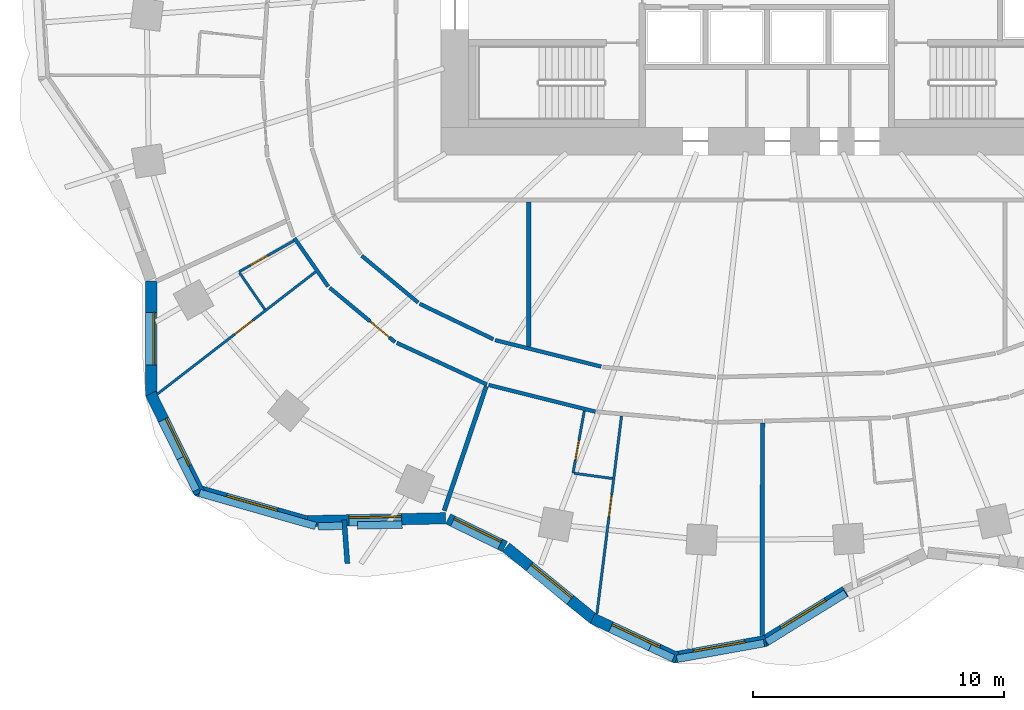
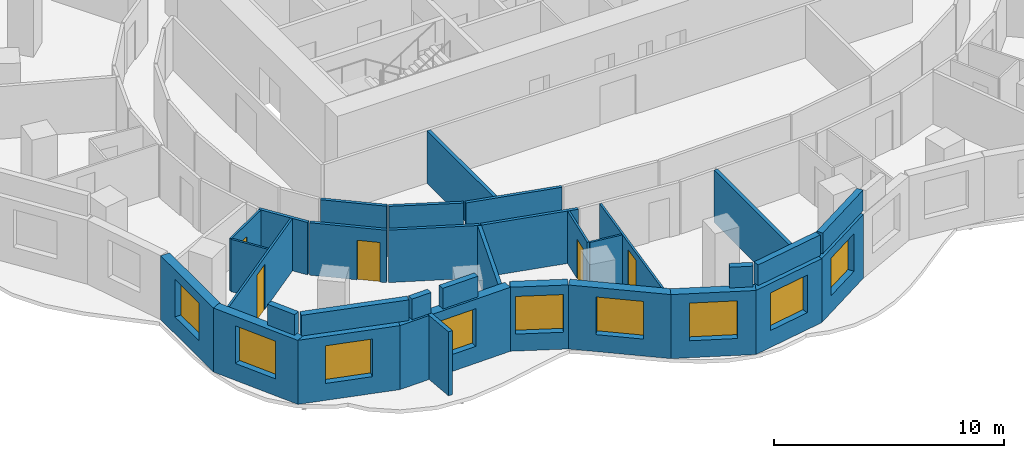
# One storey, part 4 of 13: 33 walls, 9 windows, 5 doors, 14 openings.
"""IFC4 building model written with IfcOpenShell, lengths in metres."""

from ifc_helpers import new_model, si_unit, direction, frame, frame_2d, origin, place, context, subcontext, project, spatial, rectangle, extrude, material, layer, layer_set, type_object, element, fill, save


model = new_model("IFC4")

# Units and contexts
model_context = context("Model", 3, precision=1e-05, world=origin(), true_north=direction((0.0, 1.0)))
body_context = subcontext(model_context, "Body", "Model", "MODEL_VIEW")
ifc_project = project(units=[si_unit("LENGTHUNIT", "METRE"), si_unit("AREAUNIT", "SQUARE_METRE"), si_unit("VOLUMEUNIT", "CUBIC_METRE"), si_unit("PLANEANGLEUNIT", "RADIAN"), si_unit("MASSUNIT", "GRAM", prefix="KILO")], contexts=[model_context])

# Site, building, storey
site_placement = place(None, origin())
site = spatial("IfcSite", under=ifc_project, at=site_placement, CompositionType="ELEMENT")
building_placement = place(site_placement, origin())
building = spatial("IfcBuilding", under=site, at=building_placement, Name="Rubra Terraces Tower", CompositionType="ELEMENT")
storey_placement = place(building_placement, frame((0.0, 0.0, 85.199951171875)))
storey = spatial("IfcBuildingStorey", under=building, at=storey_placement, Name="L19", CompositionType="ELEMENT", Elevation=85.199951171875)

# Walls
ifc_material_1 = material(Name="Twin plasterboard on staggered steel stud, acoustic mineral wool", Category="steel")
ifc_layer_1 = layer(ifc_material_1, 0.175048828125)
ifc_layer_set_1 = layer_set([ifc_layer_1], Name="Twin plasterboard on staggered steel stud, acoustic mineral wool")
wall_type_1 = type_object("IfcWallType", Name="ACOUSTIC PARTY WALL 175", PredefinedType="PARTITIONING", material=ifc_layer_set_1)
wall_1_placement = place(storey_placement, frame((-12.8779296875, -17.2001953125, 0.0), z_axis=(0.0, 0.0, 1.0), x_axis=(0.320668187518, 0.947191592823, 0.0)))
element("IfcWall", 1, at=wall_1_placement, inside=storey, type_object=wall_type_1, Name="PARTITION", PredefinedType="PARTITIONING", context=body_context, shape_type="SweptSolid", body=[
    extrude(rectangle(XDim=5.2412109375, YDim=0.175048828125, at=frame_2d((2.62060546875, 0.0))), origin(), (0.0, 0.0, 1.0), 2.783935546875),
])
wall_2_placement = place(storey_placement, frame((-0.189208984375, -22.189697265625, 0.0), z_axis=(0.0, 0.0, 1.0), x_axis=(0.001984465463, 0.999998030946, 0.0)))
element("IfcWall", 2, at=wall_2_placement, inside=storey, type_object=wall_type_1, Name="PARTITION", PredefinedType="PARTITIONING", context=body_context, shape_type="SweptSolid", body=[
    extrude(rectangle(XDim=8.48876953125, YDim=0.175048828125, at=frame_2d((4.244384765625, 0.0))), origin(), (0.0, 0.0, 1.0), 2.783935546875),
])
wall_3_placement = place(storey_placement, frame((-9.5, -10.653564453125, 0.0), z_axis=(0.0, 0.0, 1.0), x_axis=(0.0, 1.0, 0.0)))
element("IfcWall", 3, at=wall_3_placement, inside=storey, type_object=wall_type_1, Name="PARTITION", PredefinedType="PARTITIONING", context=body_context, shape_type="SweptSolid", body=[
    extrude(rectangle(XDim=5.778564453125, YDim=0.175048828125, at=frame_2d((2.88916015625, 0.0))), origin(), (0.0, 0.0, 1.0), 2.783935546875),
])

# Wall, opening, window
ifc_material_2 = material(Name="Brick masonry red-brown", Category="masonry")
ifc_layer_2 = layer(ifc_material_2, 0.449951171875)
ifc_layer_set_2 = layer_set([ifc_layer_2], Name="Brick masonry red-brown")
wall_type_2 = type_object("IfcWallType", Name="Brick facade wall 450", PredefinedType="SOLIDWALL", material=ifc_layer_set_2)
wall_4_placement = place(storey_placement, frame((-24.5712890625, -8.044189453125, 0.0), z_axis=(0.0, 0.0, 1.0), x_axis=(0.001546005189, -0.999998804933, 0.0)))
wall_4 = element("IfcWall", 4, at=wall_4_placement, inside=storey, type_object=wall_type_2, Name="Facade wall L19 bay 23", PredefinedType="SOLIDWALL", context=body_context, shape_type="SweptSolid", body=[
    extrude(rectangle(XDim=4.57958984375, YDim=0.449951171875, at=frame_2d((2.289794921875, 0.0))), origin(), (0.0, 0.0, 1.0), 3.400146484375),
])
opening_1_placement = place(wall_4_placement, frame((1.23974609375, 0.0, 0.89990234375)))
opening_1 = element("IfcOpeningElement", 5, at=opening_1_placement, cuts=wall_4, Name="Opening W1", PredefinedType="OPENING", context=body_context, shape_type="SweptSolid", body=[
    extrude(rectangle(XDim=2.10009765625, YDim=2.0, at=frame_2d((1.050048828125, 1.0))), frame((0.0, 0.23486328125, 0.0), z_axis=(0.0, -1.0, 0.0), x_axis=(1.0, 0.0, 0.0)), (0.0, 0.0, 1.0), 0.469970703125),
])
ifc_material_3 = material(Name="Clear glass in aluminium frame", Category="aluminium")
window_type = type_object("IfcWindowType", Name="Fixed deep-set window 2100 x 2000", PartitioningType="SINGLE_PANEL", PredefinedType="WINDOW", material=ifc_material_3)
window_1_placement = place(opening_1_placement, origin())
window_1 = element("IfcWindow", 6, at=window_1_placement, inside=storey, type_object=window_type, Name="Window L19 bay 23", OverallHeight=2.0, OverallWidth=2.10009765625, PartitioningType="SINGLE_PANEL", PredefinedType="WINDOW", context=body_context, shape_type="SweptSolid", body=[
    extrude(rectangle(XDim=2.10009765625, YDim=2.0, at=frame_2d((1.050048828125, 1.0))), frame((0.0, 0.135009765625, 0.0), z_axis=(0.0, -1.0, 0.0), x_axis=(1.0, 0.0, 0.0)), (0.0, 0.0, 1.0), 0.06005859375),
])
fill(opening_1, window_1)

wall_5_placement = place(storey_placement, frame((-24.587158203125, -12.531494140625, 0.0), z_axis=(0.0, 0.0, 1.0), x_axis=(0.441565582365, -0.897228976611, 0.0)))
wall_5 = element("IfcWall", 7, at=wall_5_placement, inside=storey, type_object=wall_type_2, Name="Facade wall L19 bay 24", PredefinedType="SOLIDWALL", context=body_context, shape_type="SweptSolid", body=[
    extrude(rectangle(XDim=4.416015625, YDim=0.449951171875, at=frame_2d((2.2080078125, 0.0))), origin(), (0.0, 0.0, 1.0), 3.400146484375),
])
opening_2_placement = place(wall_5_placement, frame((1.157958984375, 0.0, 0.89990234375)))
opening_2 = element("IfcOpeningElement", 8, at=opening_2_placement, cuts=wall_5, Name="Opening W1", PredefinedType="OPENING", context=body_context, shape_type="SweptSolid", body=[
    extrude(rectangle(XDim=2.10009765625, YDim=2.0, at=frame_2d((1.050048828125, 1.0))), frame((0.0, 0.23486328125, 0.0), z_axis=(0.0, -1.0, 0.0), x_axis=(1.0, 0.0, 0.0)), (0.0, 0.0, 1.0), 0.469970703125),
])
window_2_placement = place(opening_2_placement, origin())
window_2 = element("IfcWindow", 9, at=window_2_placement, inside=storey, type_object=window_type, Name="Window L19 bay 24", OverallHeight=2.0, OverallWidth=2.10009765625, PartitioningType="SINGLE_PANEL", PredefinedType="WINDOW", context=body_context, shape_type="SweptSolid", body=[
    extrude(rectangle(XDim=2.10009765625, YDim=2.0, at=frame_2d((1.050048828125, 1.0))), frame((0.0, 0.135009765625, 0.0), z_axis=(0.0, -1.0, 0.0), x_axis=(1.0, 0.0, 0.0)), (0.0, 0.0, 1.0), 0.06005859375),
])
fill(opening_2, window_2)

wall_6_placement = place(storey_placement, frame((-22.777587890625, -16.376708984375, 0.0), z_axis=(0.0, 0.0, 1.0), x_axis=(0.961872816949, -0.273497137123, 0.0)))
wall_6 = element("IfcWall", 10, at=wall_6_placement, inside=storey, type_object=wall_type_2, Name="Facade wall L19 bay 25", PredefinedType="SOLIDWALL", context=body_context, shape_type="SweptSolid", body=[
    extrude(rectangle(XDim=4.584716796875, YDim=0.449951171875, at=frame_2d((2.29248046875, 0.0))), origin(), (0.0, 0.0, 1.0), 3.400146484375),
])
opening_3_placement = place(wall_6_placement, frame((1.242431640625, 0.0, 0.89990234375)))
opening_3 = element("IfcOpeningElement", 11, at=opening_3_placement, cuts=wall_6, Name="Opening W1", PredefinedType="OPENING", context=body_context, shape_type="SweptSolid", body=[
    extrude(rectangle(XDim=2.10009765625, YDim=2.0, at=frame_2d((1.050048828125, 1.0))), frame((0.0, 0.23486328125, 0.0), z_axis=(0.0, -1.0, 0.0), x_axis=(1.0, 0.0, 0.0)), (0.0, 0.0, 1.0), 0.469970703125),
])
window_3_placement = place(opening_3_placement, origin())
window_3 = element("IfcWindow", 12, at=window_3_placement, inside=storey, type_object=window_type, Name="Window L19 bay 25", OverallHeight=2.0, OverallWidth=2.10009765625, PartitioningType="SINGLE_PANEL", PredefinedType="WINDOW", context=body_context, shape_type="SweptSolid", body=[
    extrude(rectangle(XDim=2.10009765625, YDim=2.0, at=frame_2d((1.050048828125, 1.0))), frame((0.0, 0.135009765625, 0.0), z_axis=(0.0, -1.0, 0.0), x_axis=(1.0, 0.0, 0.0)), (0.0, 0.0, 1.0), 0.06005859375),
])
fill(opening_3, window_3)

wall_7_placement = place(storey_placement, frame((-18.433837890625, -17.622314453125, 0.0), z_axis=(0.0, 0.0, 1.0), x_axis=(0.999773749739, 0.021270856405, 0.0)))
wall_7 = element("IfcWall", 13, at=wall_7_placement, inside=storey, type_object=wall_type_2, Name="Facade wall L19 bay 26", PredefinedType="SOLIDWALL", context=body_context, shape_type="SweptSolid", body=[
    extrude(rectangle(XDim=5.612548828125, YDim=0.449951171875, at=frame_2d((2.80615234375, 0.0))), origin(), (0.0, 0.0, 1.0), 3.400146484375),
])
opening_4_placement = place(wall_7_placement, frame((1.75634765625, 0.0, 0.89990234375)))
opening_4 = element("IfcOpeningElement", 14, at=opening_4_placement, cuts=wall_7, Name="Opening W1", PredefinedType="OPENING", context=body_context, shape_type="SweptSolid", body=[
    extrude(rectangle(XDim=2.10009765625, YDim=2.0, at=frame_2d((1.050048828125, 1.0))), frame((0.0, 0.23486328125, 0.0), z_axis=(0.0, -1.0, 0.0), x_axis=(1.0, 0.0, 0.0)), (0.0, 0.0, 1.0), 0.469970703125),
])
window_4_placement = place(opening_4_placement, origin())
window_4 = element("IfcWindow", 15, at=window_4_placement, inside=storey, type_object=window_type, Name="Window L19 bay 26", OverallHeight=2.0, OverallWidth=2.10009765625, PartitioningType="SINGLE_PANEL", PredefinedType="WINDOW", context=body_context, shape_type="SweptSolid", body=[
    extrude(rectangle(XDim=2.10009765625, YDim=2.0, at=frame_2d((1.050048828125, 1.0))), frame((0.0, 0.135009765625, 0.0), z_axis=(0.0, -1.0, 0.0), x_axis=(1.0, 0.0, 0.0)), (0.0, 0.0, 1.0), 0.06005859375),
])
fill(opening_4, window_4)

wall_8_placement = place(storey_placement, frame((-12.718994140625, -17.52587890625, 0.0), z_axis=(0.0, 0.0, 1.0), x_axis=(0.898643806462, -0.438679050226, 0.0)))
wall_8 = element("IfcWall", 16, at=wall_8_placement, inside=storey, type_object=wall_type_2, Name="Facade wall L19 bay 27", PredefinedType="SOLIDWALL", context=body_context, shape_type="SweptSolid", body=[
    extrude(rectangle(XDim=2.5234375, YDim=0.449951171875, at=frame_2d((1.26171875, 0.0))), origin(), (0.0, 0.0, 1.0), 3.400146484375),
])
opening_5_placement = place(wall_8_placement, frame((0.2119140625, 0.0, 0.89990234375)))
opening_5 = element("IfcOpeningElement", 17, at=opening_5_placement, cuts=wall_8, Name="Opening W1", PredefinedType="OPENING", context=body_context, shape_type="SweptSolid", body=[
    extrude(rectangle(XDim=2.10009765625, YDim=2.0, at=frame_2d((1.050048828125, 1.0))), frame((0.0, 0.23486328125, 0.0), z_axis=(0.0, -1.0, 0.0), x_axis=(1.0, 0.0, 0.0)), (0.0, 0.0, 1.0), 0.469970703125),
])
window_5_placement = place(opening_5_placement, origin())
window_5 = element("IfcWindow", 18, at=window_5_placement, inside=storey, type_object=window_type, Name="Window L19 bay 27", OverallHeight=2.0, OverallWidth=2.10009765625, PartitioningType="SINGLE_PANEL", PredefinedType="WINDOW", context=body_context, shape_type="SweptSolid", body=[
    extrude(rectangle(XDim=2.10009765625, YDim=2.0, at=frame_2d((1.050048828125, 1.0))), frame((0.0, 0.135009765625, 0.0), z_axis=(0.0, -1.0, 0.0), x_axis=(1.0, 0.0, 0.0)), (0.0, 0.0, 1.0), 0.06005859375),
])
fill(opening_5, window_5)

wall_9_placement = place(storey_placement, frame((-10.407470703125, -18.660888671875, 0.0), z_axis=(0.0, 0.0, 1.0), x_axis=(0.773702458947, -0.633549133864, 0.0)))
wall_9 = element("IfcWall", 19, at=wall_9_placement, inside=storey, type_object=wall_type_2, Name="Facade wall L19 bay 28", PredefinedType="SOLIDWALL", context=body_context, shape_type="SweptSolid", body=[
    extrude(rectangle(XDim=4.525634765625, YDim=0.449951171875, at=frame_2d((2.2626953125, 0.0))), origin(), (0.0, 0.0, 1.0), 3.400146484375),
])
opening_6_placement = place(wall_9_placement, frame((1.212890625, 0.0, 0.89990234375)))
opening_6 = element("IfcOpeningElement", 20, at=opening_6_placement, cuts=wall_9, Name="Opening W1", PredefinedType="OPENING", context=body_context, shape_type="SweptSolid", body=[
    extrude(rectangle(XDim=2.10009765625, YDim=2.0, at=frame_2d((1.050048828125, 1.0))), frame((0.0, 0.23486328125, 0.0), z_axis=(0.0, -1.0, 0.0), x_axis=(1.0, 0.0, 0.0)), (0.0, 0.0, 1.0), 0.469970703125),
])
window_6_placement = place(opening_6_placement, origin())
window_6 = element("IfcWindow", 21, at=window_6_placement, inside=storey, type_object=window_type, Name="Window L19 bay 28", OverallHeight=2.0, OverallWidth=2.10009765625, PartitioningType="SINGLE_PANEL", PredefinedType="WINDOW", context=body_context, shape_type="SweptSolid", body=[
    extrude(rectangle(XDim=2.10009765625, YDim=2.0, at=frame_2d((1.050048828125, 1.0))), frame((0.0, 0.135009765625, 0.0), z_axis=(0.0, -1.0, 0.0), x_axis=(1.0, 0.0, 0.0)), (0.0, 0.0, 1.0), 0.06005859375),
])
fill(opening_6, window_6)

wall_10_placement = place(storey_placement, frame((-6.952880859375, -21.49853515625, 0.0), z_axis=(0.0, 0.0, 1.0), x_axis=(0.905034581957, -0.425337989676, 0.0)))
wall_10 = element("IfcWall", 22, at=wall_10_placement, inside=storey, type_object=wall_type_2, Name="Facade wall L19 bay 29", PredefinedType="SOLIDWALL", context=body_context, shape_type="SweptSolid", body=[
    extrude(rectangle(XDim=3.71435546875, YDim=0.449951171875, at=frame_2d((1.857177734375, 0.0))), origin(), (0.0, 0.0, 1.0), 3.400146484375),
])
opening_7_placement = place(wall_10_placement, frame((0.80712890625, 0.0, 0.89990234375)))
opening_7 = element("IfcOpeningElement", 23, at=opening_7_placement, cuts=wall_10, Name="Opening W1", PredefinedType="OPENING", context=body_context, shape_type="SweptSolid", body=[
    extrude(rectangle(XDim=2.10009765625, YDim=2.0, at=frame_2d((1.050048828125, 1.0))), frame((0.0, 0.23486328125, 0.0), z_axis=(0.0, -1.0, 0.0), x_axis=(1.0, 0.0, 0.0)), (0.0, 0.0, 1.0), 0.469970703125),
])
window_7_placement = place(opening_7_placement, origin())
window_7 = element("IfcWindow", 24, at=window_7_placement, inside=storey, type_object=window_type, Name="Window L19 bay 29", OverallHeight=2.0, OverallWidth=2.10009765625, PartitioningType="SINGLE_PANEL", PredefinedType="WINDOW", context=body_context, shape_type="SweptSolid", body=[
    extrude(rectangle(XDim=2.10009765625, YDim=2.0, at=frame_2d((1.050048828125, 1.0))), frame((0.0, 0.135009765625, 0.0), z_axis=(0.0, -1.0, 0.0), x_axis=(1.0, 0.0, 0.0)), (0.0, 0.0, 1.0), 0.06005859375),
])
fill(opening_7, window_7)

wall_11_placement = place(storey_placement, frame((-3.726806640625, -23.060546875, 0.0), z_axis=(0.0, 0.0, 1.0), x_axis=(0.984119180424, 0.177508982087, 0.0)))
wall_11 = element("IfcWall", 25, at=wall_11_placement, inside=storey, type_object=wall_type_2, Name="Facade wall L19 bay 30", PredefinedType="SOLIDWALL", context=body_context, shape_type="SweptSolid", body=[
    extrude(rectangle(XDim=3.74658203125, YDim=0.449951171875, at=frame_2d((1.873291015625, 0.0))), origin(), (0.0, 0.0, 1.0), 3.400146484375),
])
opening_8_placement = place(wall_11_placement, frame((0.8232421875, 0.0, 0.89990234375)))
opening_8 = element("IfcOpeningElement", 26, at=opening_8_placement, cuts=wall_11, Name="Opening W1", PredefinedType="OPENING", context=body_context, shape_type="SweptSolid", body=[
    extrude(rectangle(XDim=2.10009765625, YDim=2.0, at=frame_2d((1.050048828125, 1.0))), frame((0.0, 0.23486328125, 0.0), z_axis=(0.0, -1.0, 0.0), x_axis=(1.0, 0.0, 0.0)), (0.0, 0.0, 1.0), 0.469970703125),
])
window_8_placement = place(opening_8_placement, origin())
window_8 = element("IfcWindow", 27, at=window_8_placement, inside=storey, type_object=window_type, Name="Window L19 bay 30", OverallHeight=2.0, OverallWidth=2.10009765625, PartitioningType="SINGLE_PANEL", PredefinedType="WINDOW", context=body_context, shape_type="SweptSolid", body=[
    extrude(rectangle(XDim=2.10009765625, YDim=2.0, at=frame_2d((1.050048828125, 1.0))), frame((0.0, 0.135009765625, 0.0), z_axis=(0.0, -1.0, 0.0), x_axis=(1.0, 0.0, 0.0)), (0.0, 0.0, 1.0), 0.06005859375),
])
fill(opening_8, window_8)

wall_12_placement = place(storey_placement, frame((-0.114990234375, -22.423583984375, 0.0), z_axis=(0.0, 0.0, 1.0), x_axis=(0.8506970368, 0.525656305564, 0.0)))
wall_12 = element("IfcWall", 28, at=wall_12_placement, inside=storey, type_object=wall_type_2, Name="Facade wall L19 bay 31", PredefinedType="SOLIDWALL", context=body_context, shape_type="SweptSolid", body=[
    extrude(rectangle(XDim=3.81640625, YDim=0.449951171875, at=frame_2d((1.908203125, 0.0))), origin(), (0.0, 0.0, 1.0), 3.400146484375),
])
opening_9_placement = place(wall_12_placement, frame((0.858154296875, 0.0, 0.89990234375)))
opening_9 = element("IfcOpeningElement", 29, at=opening_9_placement, cuts=wall_12, Name="Opening W1", PredefinedType="OPENING", context=body_context, shape_type="SweptSolid", body=[
    extrude(rectangle(XDim=2.10009765625, YDim=2.0, at=frame_2d((1.050048828125, 1.0))), frame((0.0, 0.23486328125, 0.0), z_axis=(0.0, -1.0, 0.0), x_axis=(1.0, 0.0, 0.0)), (0.0, 0.0, 1.0), 0.469970703125),
])
window_9_placement = place(opening_9_placement, origin())
window_9 = element("IfcWindow", 30, at=window_9_placement, inside=storey, type_object=window_type, Name="Window L19 bay 31", OverallHeight=2.0, OverallWidth=2.10009765625, PartitioningType="SINGLE_PANEL", PredefinedType="WINDOW", context=body_context, shape_type="SweptSolid", body=[
    extrude(rectangle(XDim=2.10009765625, YDim=2.0, at=frame_2d((1.050048828125, 1.0))), frame((0.0, 0.135009765625, 0.0), z_axis=(0.0, -1.0, 0.0), x_axis=(1.0, 0.0, 0.0)), (0.0, 0.0, 1.0), 0.06005859375),
])
fill(opening_9, window_9)

# Walls
ifc_layer_3 = layer(ifc_material_2, 0.300048828125)
ifc_layer_set_3 = layer_set([ifc_layer_3], Name="Brick masonry red-brown")
wall_type_3 = type_object("IfcWallType", Name="Brick parapet 300", PredefinedType="PARAPET", material=ifc_layer_set_3)
wall_13_placement = place(storey_placement, frame((-23.40673828125, -15.099609375, 3.60009765625), z_axis=(0.0, 0.0, 1.0), x_axis=(0.441525139575, -0.897248879143, 0.0)))
element("IfcWall", 31, at=wall_13_placement, inside=storey, type_object=wall_type_3, Name="Parapet L19 bay 24", PredefinedType="PARAPET", context=body_context, shape_type="SweptSolid", body=[
    extrude(rectangle(XDim=1.42724609375, YDim=0.300048828125, at=frame_2d((0.713623046875, 0.0))), origin(), (0.0, 0.0, 1.0), 1.099853515625),
])
wall_14_placement = place(storey_placement, frame((-22.640869140625, -16.493408203125, 3.60009765625), z_axis=(0.0, 0.0, 1.0), x_axis=(0.961855991684, -0.273556303641, 0.0)))
element("IfcWall", 32, at=wall_14_placement, inside=storey, type_object=wall_type_3, Name="Parapet L19 bay 25", PredefinedType="PARAPET", context=body_context, shape_type="SweptSolid", body=[
    extrude(rectangle(XDim=4.817626953125, YDim=0.300048828125, at=frame_2d((2.40869140625, 0.0))), origin(), (0.0, 0.0, 1.0), 1.099853515625),
])
wall_15_placement = place(storey_placement, frame((-17.904052734375, -17.824462890625, 3.60009765625), z_axis=(0.0, 0.0, 1.0), x_axis=(0.999771907309, 0.021357278744, 0.0)))
element("IfcWall", 33, at=wall_15_placement, inside=storey, type_object=wall_type_3, Name="Parapet L19 bay 26", PredefinedType="PARAPET", context=body_context, shape_type="SweptSolid", body=[
    extrude(rectangle(XDim=0.9716796875, YDim=0.300048828125, at=frame_2d((0.48583984375, 0.0))), origin(), (0.0, 0.0, 1.0), 1.099853515625),
])
wall_16_placement = place(storey_placement, frame((-16.339599609375, -17.791259765625, 3.60009765625), z_axis=(0.0, 0.0, 1.0), x_axis=(0.999776010316, 0.021164337831, 0.0)))
element("IfcWall", 34, at=wall_16_placement, inside=storey, type_object=wall_type_3, Name="Parapet L19 bay 26.2", PredefinedType="PARAPET", context=body_context, shape_type="SweptSolid", body=[
    extrude(rectangle(XDim=1.7880859375, YDim=0.300048828125, at=frame_2d((0.89404296875, 0.0))), origin(), (0.0, 0.0, 1.0), 1.099853515625),
])
wall_17_placement = place(storey_placement, frame((-4.66650390625, -22.656005859375, 3.60009765625), z_axis=(0.0, 0.0, 1.0), x_axis=(0.905050240273, -0.425304670304, 0.0)))
element("IfcWall", 35, at=wall_17_placement, inside=storey, type_object=wall_type_3, Name="Parapet L19 bay 29", PredefinedType="PARAPET", context=body_context, shape_type="SweptSolid", body=[
    extrude(rectangle(XDim=1.02685546875, YDim=0.300048828125, at=frame_2d((0.513427734375, 0.0))), origin(), (0.0, 0.0, 1.0), 1.099853515625),
])
wall_18_placement = place(storey_placement, frame((-3.58984375, -23.112060546875, 3.60009765625), z_axis=(0.0, 0.0, 1.0), x_axis=(0.984124248147, 0.177480884064, 0.0)))
element("IfcWall", 36, at=wall_18_placement, inside=storey, type_object=wall_type_3, Name="Parapet L19 bay 30", PredefinedType="PARAPET", context=body_context, shape_type="SweptSolid", body=[
    extrude(rectangle(XDim=3.533935546875, YDim=0.300048828125, at=frame_2d((1.76708984375, 0.0))), origin(), (0.0, 0.0, 1.0), 1.099853515625),
])
wall_19_placement = place(storey_placement, frame((-0.0048828125, -22.443603515625, 3.60009765625), z_axis=(0.0, 0.0, 1.0), x_axis=(0.850710394144, 0.525634688063, 0.0)))
element("IfcWall", 37, at=wall_19_placement, inside=storey, type_object=wall_type_3, Name="Parapet L19 bay 31", PredefinedType="PARAPET", context=body_context, shape_type="SweptSolid", body=[
    extrude(rectangle(XDim=3.701904296875, YDim=0.300048828125, at=frame_2d((1.85107421875, 0.0))), origin(), (0.0, 0.0, 1.0), 1.099853515625),
])
ifc_layer_4 = layer(ifc_material_2, 0.199951171875)
ifc_layer_set_4 = layer_set([ifc_layer_4], Name="Brick masonry red-brown")
wall_type_4 = type_object("IfcWallType", Name="Brick wind fin 200", PredefinedType="SOLIDWALL", material=ifc_layer_set_4)
wall_20_placement = place(storey_placement, frame((-16.868896484375, -17.56591796875, 0.0), z_axis=(0.0, 0.0, 1.0), x_axis=(0.073655868346, -0.997283717434, 0.0)))
element("IfcWall", 38, at=wall_20_placement, inside=storey, type_object=wall_type_4, Name="Wind fin L19 16", PredefinedType="SOLIDWALL", context=body_context, shape_type="SweptSolid", body=[
    extrude(rectangle(XDim=1.75, YDim=0.199951171875, at=frame_2d((0.875, 0.0))), origin(), (0.0, 0.0, 1.0), 3.400146484375),
])
ifc_material_4 = material(Name="Plasterboard on steel stud, mineral wool infill", Category="steel")
ifc_layer_5 = layer(ifc_material_4, 0.14990234375)
ifc_layer_set_5 = layer_set([ifc_layer_5], Name="Plasterboard on steel stud, mineral wool infill")
wall_type_5 = type_object("IfcWallType", Name="CORRIDOR PARTITION 150", PredefinedType="PARTITIONING", material=ifc_layer_set_5)
wall_21_placement = place(storey_placement, frame((-18.85107421875, -6.324951171875, 0.0), z_axis=(0.0, 0.0, 1.0), x_axis=(0.572090775968, -0.820190309656, 0.0)))
element("IfcWall", 39, at=wall_21_placement, inside=storey, type_object=wall_type_5, Name="PARTITION", PredefinedType="PARTITIONING", context=body_context, shape_type="SweptSolid", body=[
    extrude(rectangle(XDim=2.354736328125, YDim=0.14990234375, at=frame_2d((1.17724609375, 0.0))), origin(), (0.0, 0.0, 1.0), 2.783935546875),
])

# Wall, opening, door
wall_22_placement = place(storey_placement, frame((-17.4462890625, -8.30419921875, 0.0), z_axis=(0.0, 0.0, 1.0), x_axis=(0.769200174495, -0.639007896318, 0.0)))
wall_22 = element("IfcWall", 40, at=wall_22_placement, inside=storey, type_object=wall_type_5, Name="PARTITION", PredefinedType="PARTITIONING", context=body_context, shape_type="SweptSolid", body=[
    extrude(rectangle(XDim=3.390380859375, YDim=0.14990234375, at=frame_2d((1.6953125, 0.0))), origin(), (0.0, 0.0, 1.0), 2.783935546875),
])
opening_10_placement = place(wall_22_placement, frame((2.10009765625, 0.0, 0.0)))
opening_10 = element("IfcOpeningElement", 41, at=opening_10_placement, cuts=wall_22, Name="Opening 19-117", PredefinedType="OPENING", context=body_context, shape_type="SweptSolid", body=[
    extrude(rectangle(XDim=1.0, YDim=2.10009765625, at=frame_2d((0.5, 1.050048828125))), frame((0.0, 0.0849609375, 0.0), z_axis=(0.0, -1.0, 0.0), x_axis=(1.0, 0.0, 0.0)), (0.0, 0.0, 1.0), 0.169921875),
])
ifc_material_5 = material(Name="Painted timber door leaf", Category="wood")
door_type_1 = type_object("IfcDoorType", Name="ROOM DOOR 1000 X 2100", OperationType="SINGLE_SWING_LEFT", PredefinedType="DOOR", material=ifc_material_5)
door_1_placement = place(opening_10_placement, origin())
door_1 = element("IfcDoor", 42, at=door_1_placement, inside=storey, type_object=door_type_1, Name="DOOR 19-117", OperationType="SINGLE_SWING_RIGHT", OverallHeight=2.10009765625, OverallWidth=1.0, PredefinedType="DOOR", context=body_context, shape_type="SweptSolid", body=[
    extrude(rectangle(XDim=1.0, YDim=2.10009765625, at=frame_2d((0.5, 1.050048828125))), frame((0.0, 0.02490234375, 0.0), z_axis=(0.0, -1.0, 0.0), x_axis=(1.0, 0.0, 0.0)), (0.0, 0.0, 1.0), 0.050048828125),
])
fill(opening_10, door_1)

# Walls
wall_23_placement = place(storey_placement, frame((-14.7705078125, -10.502197265625, 0.0), z_axis=(0.0, 0.0, 1.0), x_axis=(0.907742896312, -0.419526917128, 0.0)))
element("IfcWall", 43, at=wall_23_placement, inside=storey, type_object=wall_type_5, Name="PARTITION", PredefinedType="PARTITIONING", context=body_context, shape_type="SweptSolid", body=[
    extrude(rectangle(XDim=3.963134765625, YDim=0.14990234375, at=frame_2d((1.9814453125, 0.0))), origin(), (0.0, 0.0, 1.0), 2.783935546875),
])
wall_24_placement = place(storey_placement, frame((-11.1005859375, -12.18310546875, 0.0), z_axis=(0.0, 0.0, 1.0), x_axis=(0.969991763536, -0.24313777714, 0.0)))
element("IfcWall", 44, at=wall_24_placement, inside=storey, type_object=wall_type_5, Name="PARTITION", PredefinedType="PARTITIONING", context=body_context, shape_type="SweptSolid", body=[
    extrude(rectangle(XDim=4.387939453125, YDim=0.14990234375, at=frame_2d((2.19384765625, 0.0))), origin(), (0.0, 0.0, 1.0), 2.783935546875),
])
wall_25_placement = place(storey_placement, frame((-6.6171875, -11.451416015625, 0.0), z_axis=(0.0, 0.0, 1.0), x_axis=(-0.969987441267, 0.243155020069, 0.0)))
element("IfcWall", 45, at=wall_25_placement, inside=storey, type_object=wall_type_5, Name="PARTITION", PredefinedType="PARTITIONING", context=body_context, shape_type="SweptSolid", body=[
    extrude(rectangle(XDim=4.358642578125, YDim=0.14990234375, at=frame_2d((2.17919921875, 0.0))), origin(), (0.0, 0.0, 1.0), 2.783935546875),
])
wall_26_placement = place(storey_placement, frame((-10.91259765625, -10.35888671875, 0.0), z_axis=(0.0, 0.0, 1.0), x_axis=(-0.90149741277, 0.432784489982, 0.0)))
element("IfcWall", 46, at=wall_26_placement, inside=storey, type_object=wall_type_5, Name="PARTITION", PredefinedType="PARTITIONING", context=body_context, shape_type="SweptSolid", body=[
    extrude(rectangle(XDim=3.2685546875, YDim=0.14990234375, at=frame_2d((1.63427734375, 0.0))), origin(), (0.0, 0.0, 1.0), 2.783935546875),
])
wall_27_placement = place(storey_placement, frame((-13.916748046875, -8.896484375, 0.0), z_axis=(0.0, 0.0, 1.0), x_axis=(-0.769130409479, 0.639091866021, 0.0)))
element("IfcWall", 47, at=wall_27_placement, inside=storey, type_object=wall_type_5, Name="PARTITION", PredefinedType="PARTITIONING", context=body_context, shape_type="SweptSolid", body=[
    extrude(rectangle(XDim=2.925048828125, YDim=0.14990234375, at=frame_2d((1.46240234375, 0.0))), origin(), (0.0, 0.0, 1.0), 2.783935546875),
])

# Wall, opening, door
ifc_material_6 = material(Name="Plasterboard on steel stud", Category="steel")
ifc_layer_6 = layer(ifc_material_6, 0.10009765625)
ifc_layer_set_6 = layer_set([ifc_layer_6], Name="Plasterboard on steel stud")
wall_type_6 = type_object("IfcWallType", Name="ROOM PARTITION 100", PredefinedType="PARTITIONING", material=ifc_layer_set_6)
wall_28_placement = place(storey_placement, frame((-24.32421875, -12.547119140625, 0.0), z_axis=(0.0, 0.0, 1.0), x_axis=(0.791438995489, 0.611248162713, 0.0)))
wall_28 = element("IfcWall", 48, at=wall_28_placement, inside=storey, type_object=wall_type_6, Name="PARTITION", PredefinedType="PARTITIONING", context=body_context, shape_type="SweptSolid", body=[
    extrude(rectangle(XDim=7.983154296875, YDim=0.10009765625, at=frame_2d((3.99169921875, 0.0))), origin(), (0.0, 0.0, 1.0), 2.783935546875),
])
opening_11_placement = place(wall_28_placement, frame((3.907958984375, 0.0, 0.0)))
opening_11 = element("IfcOpeningElement", 49, at=opening_11_placement, cuts=wall_28, Name="Opening 19-116", PredefinedType="OPENING", context=body_context, shape_type="SweptSolid", body=[
    extrude(rectangle(XDim=0.89990234375, YDim=2.39990234375, at=frame_2d((0.449951171875, 1.199951171875))), frame((0.0, 0.06005859375, 0.0), z_axis=(0.0, -1.0, 0.0), x_axis=(1.0, 0.0, 0.0)), (0.0, 0.0, 1.0), 0.1201171875),
])
ifc_material_7 = material(Name="Veneered timber door leaf, fire-rated", Category="wood")
door_type_2 = type_object("IfcDoorType", Name="SUITE ENTRANCE DOOR 900 X 2400", OperationType="SINGLE_SWING_LEFT", PredefinedType="DOOR", material=ifc_material_7)
door_2_placement = place(opening_11_placement, origin())
door_2 = element("IfcDoor", 50, at=door_2_placement, inside=storey, type_object=door_type_2, Name="DOOR 19-116", OperationType="SINGLE_SWING_LEFT", OverallHeight=2.39990234375, OverallWidth=0.89990234375, PredefinedType="DOOR", context=body_context, shape_type="SweptSolid", body=[
    extrude(rectangle(XDim=0.89990234375, YDim=2.39990234375, at=frame_2d((0.449951171875, 1.199951171875))), frame((0.0, 0.02490234375, 0.0), z_axis=(0.0, -1.0, 0.0), x_axis=(1.0, 0.0, 0.0)), (0.0, 0.0, 1.0), 0.050048828125),
])
fill(opening_11, door_2)

wall_29_placement = place(storey_placement, frame((-18.8701171875, -6.42822265625, 0.0), z_axis=(0.0, 0.0, 1.0), x_axis=(-0.870719470317, -0.491780036206, 0.0)))
wall_29 = element("IfcWall", 51, at=wall_29_placement, inside=storey, type_object=wall_type_6, Name="PARTITION", PredefinedType="PARTITIONING", context=body_context, shape_type="SweptSolid", body=[
    extrude(rectangle(XDim=2.52490234375, YDim=0.10009765625, at=frame_2d((1.262451171875, 0.0))), origin(), (0.0, 0.0, 1.0), 2.783935546875),
])
opening_12_placement = place(wall_29_placement, frame((1.199951171875, 0.0, 0.0)))
opening_12 = element("IfcOpeningElement", 52, at=opening_12_placement, cuts=wall_29, Name="Opening 19-115", PredefinedType="OPENING", context=body_context, shape_type="SweptSolid", body=[
    extrude(rectangle(XDim=0.800048828125, YDim=2.10009765625, at=frame_2d((0.39990234375, 1.050048828125))), frame((0.0, 0.06005859375, 0.0), z_axis=(0.0, -1.0, 0.0), x_axis=(1.0, 0.0, 0.0)), (0.0, 0.0, 1.0), 0.1201171875),
])
door_type_3 = type_object("IfcDoorType", Name="BATHROOM DOOR 800 X 2100", OperationType="SINGLE_SWING_LEFT", PredefinedType="DOOR", material=ifc_material_5)
door_3_placement = place(opening_12_placement, origin())
door_3 = element("IfcDoor", 53, at=door_3_placement, inside=storey, type_object=door_type_3, Name="DOOR 19-115", OperationType="SINGLE_SWING_LEFT", OverallHeight=2.10009765625, OverallWidth=0.800048828125, PredefinedType="DOOR", context=body_context, shape_type="SweptSolid", body=[
    extrude(rectangle(XDim=0.800048828125, YDim=2.10009765625, at=frame_2d((0.39990234375, 1.050048828125))), frame((0.0, 0.02490234375, 0.0), z_axis=(0.0, -1.0, 0.0), x_axis=(1.0, 0.0, 0.0)), (0.0, 0.0, 1.0), 0.050048828125),
])
fill(opening_12, door_3)

# Wall
wall_30_placement = place(storey_placement, frame((-21.0400390625, -7.711181640625, 0.0), z_axis=(0.0, 0.0, 1.0), x_axis=(0.568292863646, -0.822826361469, 0.0)))
element("IfcWall", 54, at=wall_30_placement, inside=storey, type_object=wall_type_6, Name="PARTITION", PredefinedType="PARTITIONING", context=body_context, shape_type="SweptSolid", body=[
    extrude(rectangle(XDim=1.7724609375, YDim=0.10009765625, at=frame_2d((0.88623046875, 0.0))), origin(), (0.0, 0.0, 1.0), 2.783935546875),
])

# Wall, opening, door
wall_31_placement = place(storey_placement, frame((-6.784423828125, -21.32470703125, 0.0), z_axis=(0.0, 0.0, 1.0), x_axis=(0.123563365561, 0.992336684141, 0.0)))
wall_31 = element("IfcWall", 55, at=wall_31_placement, inside=storey, type_object=wall_type_6, Name="PARTITION", PredefinedType="PARTITIONING", context=body_context, shape_type="SweptSolid", body=[
    extrude(rectangle(XDim=7.968505859375, YDim=0.10009765625, at=frame_2d((3.984375, 0.0))), origin(), (0.0, 0.0, 1.0), 2.783935546875),
])
opening_13_placement = place(wall_31_placement, frame((3.89306640625, 0.0, 0.0)))
opening_13 = element("IfcOpeningElement", 56, at=opening_13_placement, cuts=wall_31, Name="Opening 19-119", PredefinedType="OPENING", context=body_context, shape_type="SweptSolid", body=[
    extrude(rectangle(XDim=0.89990234375, YDim=2.39990234375, at=frame_2d((0.449951171875, 1.199951171875))), frame((0.0, 0.06005859375, 0.0), z_axis=(0.0, -1.0, 0.0), x_axis=(1.0, 0.0, 0.0)), (0.0, 0.0, 1.0), 0.1201171875),
])
door_4_placement = place(opening_13_placement, origin())
door_4 = element("IfcDoor", 57, at=door_4_placement, inside=storey, type_object=door_type_2, Name="DOOR 19-119", OperationType="SINGLE_SWING_LEFT", OverallHeight=2.39990234375, OverallWidth=0.89990234375, PredefinedType="DOOR", context=body_context, shape_type="SweptSolid", body=[
    extrude(rectangle(XDim=0.89990234375, YDim=2.39990234375, at=frame_2d((0.449951171875, 1.199951171875))), frame((0.0, 0.02490234375, 0.0), z_axis=(0.0, -1.0, 0.0), x_axis=(1.0, 0.0, 0.0)), (0.0, 0.0, 1.0), 0.050048828125),
])
fill(opening_13, door_4)

wall_32_placement = place(storey_placement, frame((-7.286376953125, -13.21630859375, 0.0), z_axis=(0.0, 0.0, 1.0), x_axis=(-0.177915325958, -0.984045800148, 0.0)))
wall_32 = element("IfcWall", 58, at=wall_32_placement, inside=storey, type_object=wall_type_6, Name="PARTITION", PredefinedType="PARTITIONING", context=body_context, shape_type="SweptSolid", body=[
    extrude(rectangle(XDim=2.52490234375, YDim=0.10009765625, at=frame_2d((1.262451171875, 0.0))), origin(), (0.0, 0.0, 1.0), 2.783935546875),
])
opening_14_placement = place(wall_32_placement, frame((1.199951171875, 0.0, 0.0)))
opening_14 = element("IfcOpeningElement", 59, at=opening_14_placement, cuts=wall_32, Name="Opening 19-118", PredefinedType="OPENING", context=body_context, shape_type="SweptSolid", body=[
    extrude(rectangle(XDim=0.800048828125, YDim=2.10009765625, at=frame_2d((0.39990234375, 1.050048828125))), frame((0.0, 0.06005859375, 0.0), z_axis=(0.0, -1.0, 0.0), x_axis=(1.0, 0.0, 0.0)), (0.0, 0.0, 1.0), 0.1201171875),
])
door_5_placement = place(opening_14_placement, origin())
door_5 = element("IfcDoor", 60, at=door_5_placement, inside=storey, type_object=door_type_3, Name="DOOR 19-118", OperationType="SINGLE_SWING_LEFT", OverallHeight=2.10009765625, OverallWidth=0.800048828125, PredefinedType="DOOR", context=body_context, shape_type="SweptSolid", body=[
    extrude(rectangle(XDim=0.800048828125, YDim=2.10009765625, at=frame_2d((0.39990234375, 1.050048828125))), frame((0.0, 0.02490234375, 0.0), z_axis=(0.0, -1.0, 0.0), x_axis=(1.0, 0.0, 0.0)), (0.0, 0.0, 1.0), 0.050048828125),
])
fill(opening_14, door_5)

# Wall
wall_33_placement = place(storey_placement, frame((-7.68603515625, -15.707763671875, 0.0), z_axis=(0.0, 0.0, 1.0), x_axis=(0.990778929456, -0.13548842366, 0.0)))
element("IfcWall", 61, at=wall_33_placement, inside=storey, type_object=wall_type_6, Name="PARTITION", PredefinedType="PARTITIONING", context=body_context, shape_type="SweptSolid", body=[
    extrude(rectangle(XDim=1.538818359375, YDim=0.10009765625, at=frame_2d((0.76953125, 0.0))), origin(), (0.0, 0.0, 1.0), 2.783935546875),
])

save(model, "model.ifc")
